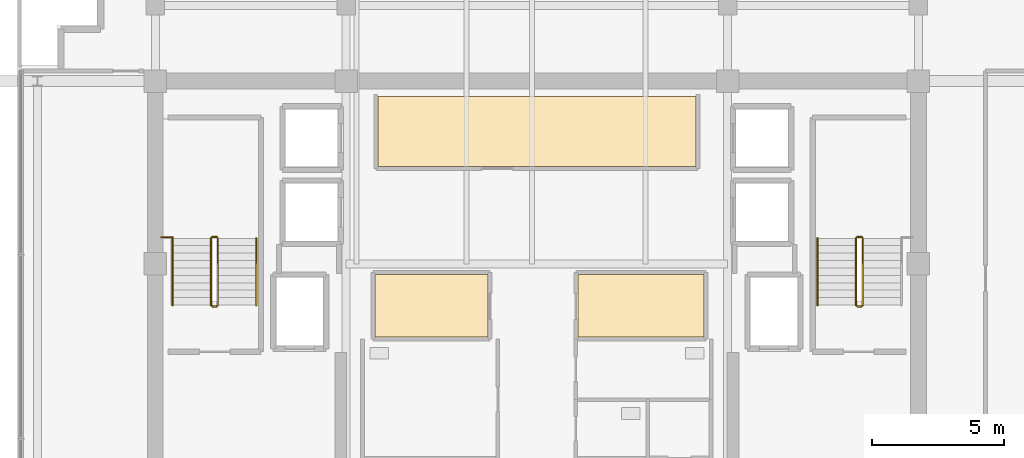
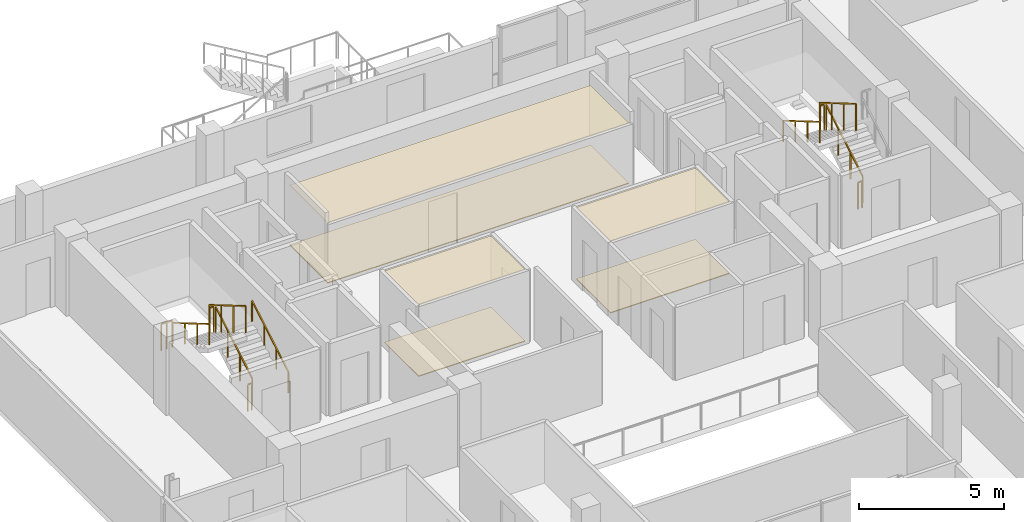
# One storey, part 20 of 23: 12 railings, 6 coverings.
"""IFC4 building model written with IfcOpenShell, lengths in metres."""

from ifc_helpers import new_model, si_unit, direction, frame, origin, origin_2d, place, context, subcontext, project, spatial, polyline, rectangle, outline, extrude, material, layer, layer_set, type_object, element, save


model = new_model("IFC4")

# Units and contexts
model_context = context("Model", 3, precision=1e-05, world=origin(), true_north=direction((0.0, 1.0)))
body_context = subcontext(model_context, "Body", "Model", "MODEL_VIEW")
ifc_project = project(units=[si_unit("LENGTHUNIT", "METRE"), si_unit("AREAUNIT", "SQUARE_METRE"), si_unit("VOLUMEUNIT", "CUBIC_METRE"), si_unit("PLANEANGLEUNIT", "RADIAN"), si_unit("MASSUNIT", "GRAM", prefix="KILO")], contexts=[model_context])

# Site, building, storey
site_placement = place(None, origin())
site = spatial("IfcSite", under=ifc_project, at=site_placement, CompositionType="ELEMENT")
building_placement = place(site_placement, origin())
building = spatial("IfcBuilding", under=site, at=building_placement, Name="Zarnakvel Exchange Tower", CompositionType="ELEMENT")
storey_placement = place(building_placement, frame((0.0, 0.0, 232.0)))
storey = spatial("IfcBuildingStorey", under=building, at=storey_placement, Name="L65", CompositionType="ELEMENT", Elevation=232.0)

# Coverings
ifc_material_1 = material(Name="Perforated Bronze Acoustic Metal Ceiling", Category="aluminium")
ifc_layer_1 = layer(ifc_material_1, 0.02001953125)
ifc_layer_set_1 = layer_set([ifc_layer_1], Name="Perforated Bronze Acoustic Metal Ceiling")
covering_type_1 = type_object("IfcCoveringType", Name="CLG-01", PredefinedType="CEILING", material=ifc_layer_set_1)
covering_1_placement = place(storey_placement, frame((0.0, 0.0, 2.530029296875)))
element("IfcCovering", 1, at=covering_1_placement, inside=storey, type_object=covering_type_1, Name="L65 Suspended Acoustic Ceiling (Market Data Archive Suite)", PredefinedType="CEILING", context=body_context, shape_type="SweptSolid", body=[
    extrude(outline(polyline([(-6.0, 12.919921875), (6.0, 12.919921875), (6.0, 10.280029296875), (-6.0, 10.280029296875), (-6.0, 12.919921875)])), origin(), (0.0, 0.0, 1.0), 0.02001953125),
])
covering_2_placement = place(storey_placement, frame((0.0, 0.0, 3.014892578125)))
element("IfcCovering", 2, at=covering_2_placement, inside=storey, type_object=covering_type_1, Name="L65 Suspended Acoustic Ceiling (Sovereign Compliance Office)", PredefinedType="CEILING", context=body_context, shape_type="SweptSolid", body=[
    extrude(outline(polyline([(-6.10009765625, 6.199951171875), (-1.85009765625, 6.199951171875), (-1.85009765625, 3.840087890625), (-6.10009765625, 3.840087890625), (-6.10009765625, 6.199951171875)])), origin(), (0.0, 0.0, 1.0), 0.02001953125),
])
covering_3_placement = place(storey_placement, frame((0.0, 0.0, 3.014892578125)))
element("IfcCovering", 3, at=covering_3_placement, inside=storey, type_object=covering_type_1, Name="L65 Suspended Acoustic Ceiling (Depository Legal Office)", PredefinedType="CEILING", context=body_context, shape_type="SweptSolid", body=[
    extrude(outline(polyline([(1.550048828125, 6.199951171875), (6.300048828125, 6.199951171875), (6.300048828125, 3.840087890625), (1.550048828125, 3.840087890625), (1.550048828125, 6.199951171875)])), origin(), (0.0, 0.0, 1.0), 0.02001953125),
])
ifc_material_2 = material(Name="Heavy-Duty Raised Access Floor Panel", Category="steel")
ifc_layer_2 = layer(ifc_material_2, 0.034912109375)
ifc_layer_set_2 = layer_set([ifc_layer_2], Name="Heavy-Duty Raised Access Floor Panel")
covering_type_2 = type_object("IfcCoveringType", Name="FLR-02", PredefinedType="FLOORING", material=ifc_layer_set_2)
covering_4_placement = place(storey_placement, origin())
element("IfcCovering", 4, at=covering_4_placement, inside=storey, type_object=covering_type_2, Name="L65 Floor Finish (Market Data Archive Suite)", PredefinedType="FLOORING", context=body_context, shape_type="SweptSolid", body=[
    extrude(outline(polyline([(-6.0, 12.919921875), (6.0, 12.919921875), (6.0, 10.280029296875), (-6.0, 10.280029296875), (-6.0, 12.919921875)])), origin(), (0.0, 0.0, 1.0), 0.034912109375),
])
covering_5_placement = place(storey_placement, origin())
element("IfcCovering", 5, at=covering_5_placement, inside=storey, type_object=covering_type_2, Name="L65 Floor Finish (Sovereign Compliance Office)", PredefinedType="FLOORING", context=body_context, shape_type="SweptSolid", body=[
    extrude(outline(polyline([(-6.10009765625, 6.199951171875), (-1.85009765625, 6.199951171875), (-1.85009765625, 3.840087890625), (-6.10009765625, 3.840087890625), (-6.10009765625, 6.199951171875)])), origin(), (0.0, 0.0, 1.0), 0.034912109375),
])
covering_6_placement = place(storey_placement, origin())
element("IfcCovering", 6, at=covering_6_placement, inside=storey, type_object=covering_type_2, Name="L65 Floor Finish (Depository Legal Office)", PredefinedType="FLOORING", context=body_context, shape_type="SweptSolid", body=[
    extrude(outline(polyline([(1.550048828125, 6.199951171875), (6.300048828125, 6.199951171875), (6.300048828125, 3.840087890625), (1.550048828125, 3.840087890625), (1.550048828125, 6.199951171875)])), origin(), (0.0, 0.0, 1.0), 0.034912109375),
])

# Railings
ifc_material_3 = material(Name="Brushed Stainless Steel", Category="steel")
railing_type_1 = type_object("IfcRailingType", Name="HR-01", PredefinedType="HANDRAIL", material=ifc_material_3)
railing_1_placement = place(storey_placement, frame((-10.590087890625, 5.050048828125, 0.1650390625)))
element("IfcRailing", 7, at=railing_1_placement, inside=storey, type_object=railing_type_1, Name="L65 ST-01 stair handrail 1", PredefinedType="HANDRAIL", context=body_context, shape_type="SweptSolid", body=[
    extrude(rectangle(XDim=0.048095703125, YDim=0.048095703125, at=origin_2d()), frame((0.0, 0.0, 0.8759765625), z_axis=(0.0, 0.861560626758, 0.507654692109), x_axis=(-1.0, 0.0, 0.0)), (0.0, 0.0, 1.0), 2.925048828125),
    extrude(rectangle(XDim=0.0419921875, YDim=0.0419921875, at=origin_2d()), origin(), (0.0, 0.0, 1.0), 0.851806640625),
    extrude(rectangle(XDim=0.0419921875, YDim=0.0419921875, at=origin_2d()), frame((0.0, 0.840087890625, 0.494873046875)), (0.0, 0.0, 1.0), 0.851806640625),
    extrude(rectangle(XDim=0.0419921875, YDim=0.0419921875, at=origin_2d()), frame((0.0, 1.679931640625, 0.989990234375)), (0.0, 0.0, 1.0), 0.851806640625),
    extrude(rectangle(XDim=0.0419921875, YDim=0.0419921875, at=origin_2d()), frame((0.0, 2.52001953125, 1.48486328125)), (0.0, 0.0, 1.0), 0.851806640625),
])
for number, where, name in (
    (8, (-13.75, 7.570068359375, 1.81494140625), "L65 ST-01 stair handrail 2"),
    (9, (10.590087890625, 7.570068359375, 1.81494140625), "L65 ST-02 stair handrail 2"),
):
    element("IfcRailing", number, at=place(storey_placement, frame(where)), inside=storey, type_object=railing_type_1, Name=name, PredefinedType="HANDRAIL", context=body_context, shape_type="SweptSolid", body=[
        extrude(rectangle(XDim=0.048095703125, YDim=0.048095703125, at=origin_2d()), frame((0.0, 0.0, 0.8759765625), z_axis=(0.0, -0.86152411907, 0.507716645641), x_axis=(1.0, 0.0, 0.0)), (0.0, 0.0, 1.0), 2.925048828125),
        extrude(rectangle(XDim=0.0419921875, YDim=0.0419921875, at=origin_2d()), origin(), (0.0, 0.0, 1.0), 0.851806640625),
        extrude(rectangle(XDim=0.0419921875, YDim=0.0419921875, at=origin_2d()), frame((0.0, -0.840087890625, 0.4951171875)), (0.0, 0.0, 1.0), 0.851806640625),
        extrude(rectangle(XDim=0.0419921875, YDim=0.0419921875, at=origin_2d()), frame((0.0, -1.679931640625, 0.989990234375)), (0.0, 0.0, 1.0), 0.851806640625),
        extrude(rectangle(XDim=0.0419921875, YDim=0.0419921875, at=origin_2d()), frame((0.0, -2.52001953125, 1.485107421875)), (0.0, 0.0, 1.0), 0.851806640625),
    ])
ifc_material_4 = material(Name="Architectural Bronze Anodised Aluminium", Category="aluminium")
railing_type_2 = type_object("IfcRailingType", Name="SG-01", PredefinedType="GUARDRAIL", material=ifc_material_4)
railing_2_placement = place(storey_placement, frame((-12.0400390625, 5.050048828125, 0.1650390625)))
element("IfcRailing", 10, at=railing_2_placement, inside=storey, type_object=railing_type_2, Name="L65 ST-01 stair guard 1", PredefinedType="GUARDRAIL", context=body_context, shape_type="SweptSolid", body=[
    extrude(rectangle(XDim=0.048095703125, YDim=0.048095703125, at=origin_2d()), frame((0.0, 0.0, 1.1259765625), z_axis=(0.0, 0.861560626758, 0.507654692109), x_axis=(-1.0, 0.0, 0.0)), (0.0, 0.0, 1.0), 2.925048828125),
    extrude(rectangle(XDim=0.0419921875, YDim=0.0419921875, at=origin_2d()), origin(), (0.0, 0.0, 1.0), 1.101806640625),
    extrude(rectangle(XDim=0.0419921875, YDim=0.0419921875, at=origin_2d()), frame((0.0, 0.840087890625, 0.494873046875)), (0.0, 0.0, 1.0), 1.101806640625),
    extrude(rectangle(XDim=0.0419921875, YDim=0.0419921875, at=origin_2d()), frame((0.0, 1.679931640625, 0.989990234375)), (0.0, 0.0, 1.0), 1.101806640625),
    extrude(rectangle(XDim=0.0419921875, YDim=0.0419921875, at=origin_2d()), frame((0.0, 2.52001953125, 1.48486328125)), (0.0, 0.0, 1.0), 1.101806640625),
])
railing_3_placement = place(storey_placement, frame((-12.090087890625, 7.6201171875, 1.64990234375)))
element("IfcRailing", 11, at=railing_3_placement, inside=storey, type_object=railing_type_2, Name="L65 ST-01 stair guard 2", PredefinedType="GUARDRAIL", context=body_context, shape_type="SweptSolid", body=[
    extrude(rectangle(XDim=0.048095703125, YDim=0.048095703125, at=origin_2d()), frame((0.0, 0.0, 1.1259765625), z_axis=(-1.0, 0.0, 0.0), x_axis=(0.0, -1.0, 0.0)), (0.0, 0.0, 1.0), 0.159912109375),
    extrude(rectangle(XDim=0.0419921875, YDim=0.0419921875, at=origin_2d()), origin(), (0.0, 0.0, 1.0), 1.101806640625),
    extrude(rectangle(XDim=0.0419921875, YDim=0.0419921875, at=origin_2d()), frame((-0.159912109375, 0.0, 0.0)), (0.0, 0.0, 1.0), 1.101806640625),
])
railing_4_placement = place(storey_placement, frame((-12.300048828125, 7.570068359375, 1.81494140625)))
element("IfcRailing", 12, at=railing_4_placement, inside=storey, type_object=railing_type_2, Name="L65 ST-01 stair guard 3", PredefinedType="GUARDRAIL", context=body_context, shape_type="SweptSolid", body=[
    extrude(rectangle(XDim=0.048095703125, YDim=0.048095703125, at=origin_2d()), frame((0.0, 0.0, 1.1259765625), z_axis=(0.0, -0.86152411907, 0.507716645641), x_axis=(1.0, 0.0, 0.0)), (0.0, 0.0, 1.0), 2.925048828125),
    extrude(rectangle(XDim=0.0419921875, YDim=0.0419921875, at=origin_2d()), origin(), (0.0, 0.0, 1.0), 1.101806640625),
    extrude(rectangle(XDim=0.0419921875, YDim=0.0419921875, at=origin_2d()), frame((0.0, -0.840087890625, 0.4951171875)), (0.0, 0.0, 1.0), 1.101806640625),
    extrude(rectangle(XDim=0.0419921875, YDim=0.0419921875, at=origin_2d()), frame((0.0, -1.679931640625, 0.989990234375)), (0.0, 0.0, 1.0), 1.101806640625),
    extrude(rectangle(XDim=0.0419921875, YDim=0.0419921875, at=origin_2d()), frame((0.0, -2.52001953125, 1.485107421875)), (0.0, 0.0, 1.0), 1.101806640625),
])
railing_5_placement = place(storey_placement, frame((-12.090087890625, 5.0, 0.0)))
element("IfcRailing", 13, at=railing_5_placement, inside=storey, type_object=railing_type_2, Name="L65 ST-01 stair guard 4", PredefinedType="GUARDRAIL", context=body_context, shape_type="SweptSolid", body=[
    extrude(rectangle(XDim=0.048095703125, YDim=0.048095703125, at=origin_2d()), frame((0.0, 0.0, 1.1259765625), z_axis=(-1.0, 0.0, 0.0), x_axis=(0.0, -1.0, 0.0)), (0.0, 0.0, 1.0), 0.159912109375),
    extrude(rectangle(XDim=0.0419921875, YDim=0.0419921875, at=origin_2d()), origin(), (0.0, 0.0, 1.0), 1.101806640625),
    extrude(rectangle(XDim=0.0419921875, YDim=0.0419921875, at=origin_2d()), frame((-0.159912109375, 0.0, 0.0)), (0.0, 0.0, 1.0), 1.101806640625),
])
railing_6_placement = place(storey_placement, frame((-14.179931640625, 7.610107421875, 1.64990234375)))
element("IfcRailing", 14, at=railing_6_placement, inside=storey, type_object=railing_type_2, Name="L65 ST-01 Landing Slot Guardrail", PredefinedType="GUARDRAIL", context=body_context, shape_type="SweptSolid", body=[
    extrude(rectangle(XDim=0.048095703125, YDim=0.048095703125, at=origin_2d()), frame((0.0, 0.0, 1.1259765625), z_axis=(1.0, 0.0, 0.0), x_axis=(0.0, 1.0, 0.0)), (0.0, 0.0, 1.0), 0.429931640625),
    extrude(rectangle(XDim=0.0419921875, YDim=0.0419921875, at=origin_2d()), origin(), (0.0, 0.0, 1.0), 1.101806640625),
    extrude(rectangle(XDim=0.0419921875, YDim=0.0419921875, at=origin_2d()), frame((0.21484375, 0.0, 0.0)), (0.0, 0.0, 1.0), 1.101806640625),
    extrude(rectangle(XDim=0.0419921875, YDim=0.0419921875, at=origin_2d()), frame((0.429931640625, 0.0, 0.0)), (0.0, 0.0, 1.0), 1.101806640625),
])
railing_7_placement = place(storey_placement, frame((12.300048828125, 5.050048828125, 0.1650390625)))
element("IfcRailing", 15, at=railing_7_placement, inside=storey, type_object=railing_type_2, Name="L65 ST-02 stair guard 1", PredefinedType="GUARDRAIL", context=body_context, shape_type="SweptSolid", body=[
    extrude(rectangle(XDim=0.048095703125, YDim=0.048095703125, at=origin_2d()), frame((0.0, 0.0, 1.1259765625), z_axis=(0.0, 0.861560626758, 0.507654692109), x_axis=(-1.0, 0.0, 0.0)), (0.0, 0.0, 1.0), 2.925048828125),
    extrude(rectangle(XDim=0.0419921875, YDim=0.0419921875, at=origin_2d()), origin(), (0.0, 0.0, 1.0), 1.101806640625),
    extrude(rectangle(XDim=0.0419921875, YDim=0.0419921875, at=origin_2d()), frame((0.0, 0.840087890625, 0.494873046875)), (0.0, 0.0, 1.0), 1.101806640625),
    extrude(rectangle(XDim=0.0419921875, YDim=0.0419921875, at=origin_2d()), frame((0.0, 1.679931640625, 0.989990234375)), (0.0, 0.0, 1.0), 1.101806640625),
    extrude(rectangle(XDim=0.0419921875, YDim=0.0419921875, at=origin_2d()), frame((0.0, 2.52001953125, 1.48486328125)), (0.0, 0.0, 1.0), 1.101806640625),
])
railing_8_placement = place(storey_placement, frame((12.25, 7.6201171875, 1.64990234375)))
element("IfcRailing", 16, at=railing_8_placement, inside=storey, type_object=railing_type_2, Name="L65 ST-02 stair guard 2", PredefinedType="GUARDRAIL", context=body_context, shape_type="SweptSolid", body=[
    extrude(rectangle(XDim=0.048095703125, YDim=0.048095703125, at=origin_2d()), frame((0.0, 0.0, 1.1259765625), z_axis=(-1.0, 0.0, 0.0), x_axis=(0.0, -1.0, 0.0)), (0.0, 0.0, 1.0), 0.159912109375),
    extrude(rectangle(XDim=0.0419921875, YDim=0.0419921875, at=origin_2d()), origin(), (0.0, 0.0, 1.0), 1.101806640625),
    extrude(rectangle(XDim=0.0419921875, YDim=0.0419921875, at=origin_2d()), frame((-0.159912109375, 0.0, 0.0)), (0.0, 0.0, 1.0), 1.101806640625),
])
railing_9_placement = place(storey_placement, frame((12.0400390625, 7.570068359375, 1.81494140625)))
element("IfcRailing", 17, at=railing_9_placement, inside=storey, type_object=railing_type_2, Name="L65 ST-02 stair guard 3", PredefinedType="GUARDRAIL", context=body_context, shape_type="SweptSolid", body=[
    extrude(rectangle(XDim=0.048095703125, YDim=0.048095703125, at=origin_2d()), frame((0.0, 0.0, 1.1259765625), z_axis=(0.0, -0.86152411907, 0.507716645641), x_axis=(1.0, 0.0, 0.0)), (0.0, 0.0, 1.0), 2.925048828125),
    extrude(rectangle(XDim=0.0419921875, YDim=0.0419921875, at=origin_2d()), origin(), (0.0, 0.0, 1.0), 1.101806640625),
    extrude(rectangle(XDim=0.0419921875, YDim=0.0419921875, at=origin_2d()), frame((0.0, -0.840087890625, 0.4951171875)), (0.0, 0.0, 1.0), 1.101806640625),
    extrude(rectangle(XDim=0.0419921875, YDim=0.0419921875, at=origin_2d()), frame((0.0, -1.679931640625, 0.989990234375)), (0.0, 0.0, 1.0), 1.101806640625),
    extrude(rectangle(XDim=0.0419921875, YDim=0.0419921875, at=origin_2d()), frame((0.0, -2.52001953125, 1.485107421875)), (0.0, 0.0, 1.0), 1.101806640625),
])
railing_10_placement = place(storey_placement, frame((12.25, 5.0, 0.0)))
element("IfcRailing", 18, at=railing_10_placement, inside=storey, type_object=railing_type_2, Name="L65 ST-02 stair guard 4", PredefinedType="GUARDRAIL", context=body_context, shape_type="SweptSolid", body=[
    extrude(rectangle(XDim=0.048095703125, YDim=0.048095703125, at=origin_2d()), frame((0.0, 0.0, 1.1259765625), z_axis=(-1.0, 0.0, 0.0), x_axis=(0.0, -1.0, 0.0)), (0.0, 0.0, 1.0), 0.159912109375),
    extrude(rectangle(XDim=0.0419921875, YDim=0.0419921875, at=origin_2d()), origin(), (0.0, 0.0, 1.0), 1.101806640625),
    extrude(rectangle(XDim=0.0419921875, YDim=0.0419921875, at=origin_2d()), frame((-0.159912109375, 0.0, 0.0)), (0.0, 0.0, 1.0), 1.101806640625),
])

save(model, "model.ifc")
